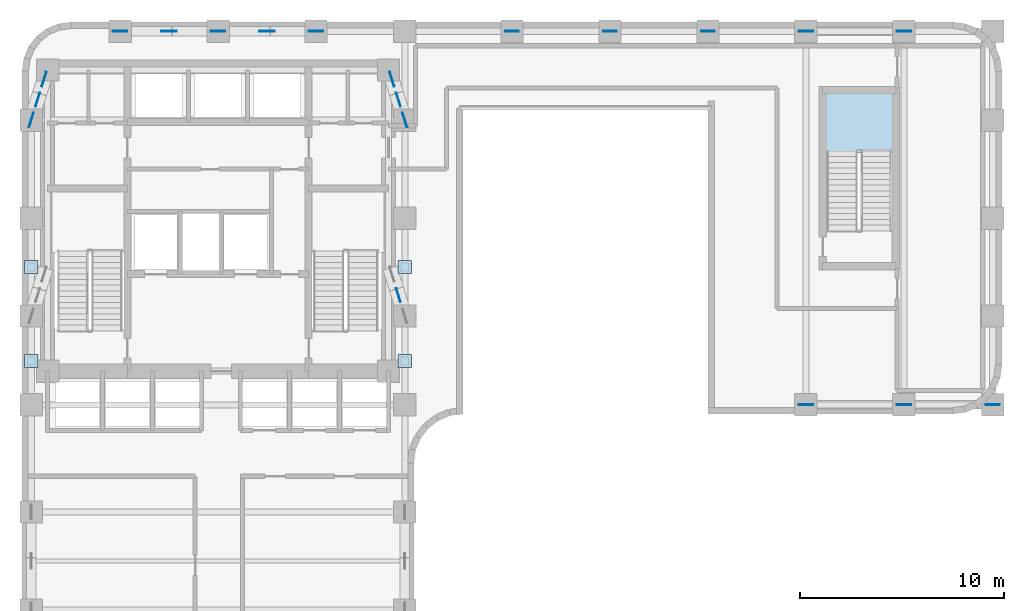
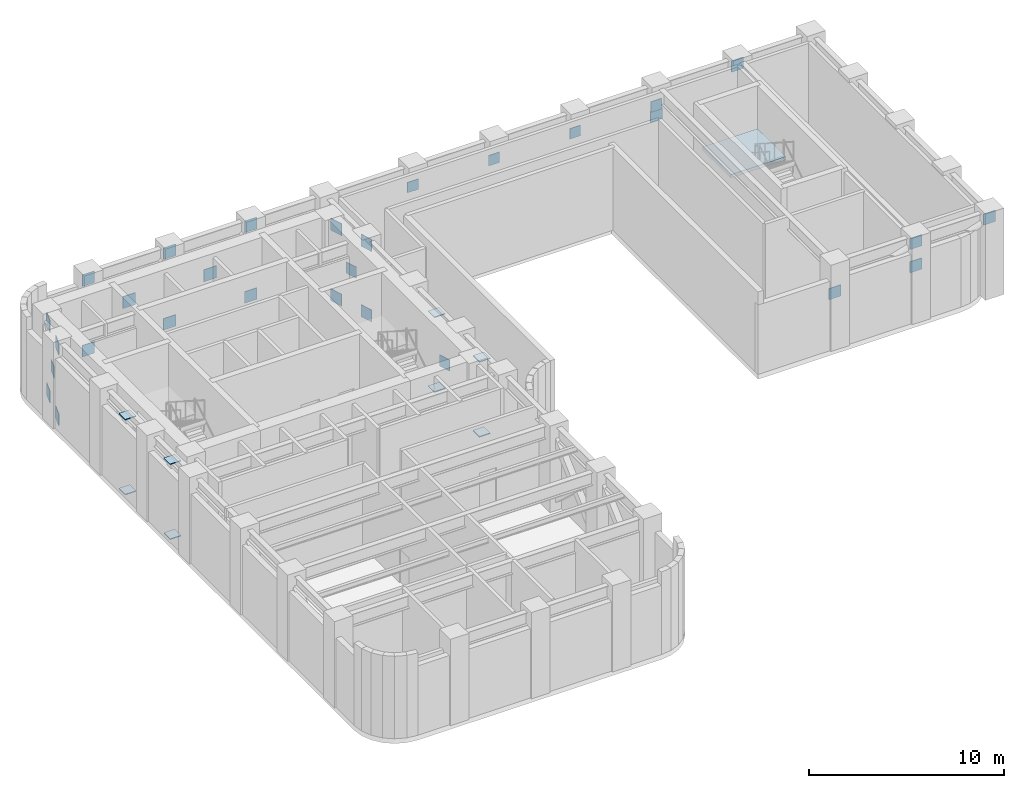
# One storey, part 4 of 9: 37 plates, 1 slab, 1 element without a shape of its own.
"""IFC4 building model written with IfcOpenShell, lengths in metres."""

from ifc_helpers import new_model, si_unit, direction, frame, origin, origin_2d, place, context, subcontext, project, spatial, polyline, rectangle, outline, extrude, material, layer, layer_set, type_object, element, aggregate, save


model = new_model("IFC4")

# Units and contexts
model_context = context("Model", 3, precision=1e-05, world=origin(), true_north=direction((0.0, 1.0)))
body_context = subcontext(model_context, "Body", "Model", "MODEL_VIEW")
ifc_project = project(units=[si_unit("LENGTHUNIT", "METRE"), si_unit("AREAUNIT", "SQUARE_METRE"), si_unit("VOLUMEUNIT", "CUBIC_METRE"), si_unit("PLANEANGLEUNIT", "RADIAN"), si_unit("MASSUNIT", "GRAM", prefix="KILO")], contexts=[model_context])

# Site, building, storey
site_placement = place(None, origin())
site = spatial("IfcSite", under=ifc_project, at=site_placement, CompositionType="ELEMENT")
building_placement = place(site_placement, origin())
building = spatial("IfcBuilding", under=site, at=building_placement, Name="Orvandelia Arch Residences", CompositionType="ELEMENT")
storey_placement = place(building_placement, frame((0.0, 0.0, 101.800048828125)))
storey = spatial("IfcBuildingStorey", under=building, at=storey_placement, Name="L26", CompositionType="ELEMENT", Elevation=101.800048828125)

# Plates
ifc_material_1 = material(Name="Structural Steel HSA650 (650 MPa)", Category="steel")
ifc_layer_1 = layer(ifc_material_1, 0.050048828125, Name="Structural Steel HSA650 (650 MPa)", Category="steel")
ifc_layer_set_1 = layer_set([ifc_layer_1], Name="Structural Steel HSA650 (650 MPa)")
plate_type_1 = type_object("IfcPlateType", Name="PLT-BASE-650", PredefinedType="USERDEFINED", material=ifc_layer_set_1)
for number, where, z_axis, x_axis, name in (
    (1, (5.25, 31.39990234375, 0.0), (0.0, 0.0, 1.0), (1.0, 0.0, 0.0), "Belt Post Base Plate L26-BPW-1"),
    (2, (5.25, 31.39990234375, 4.68505859375), (0.0, 0.0, 1.0), (1.0, 0.0, 0.0), "Belt Post Top Cap Plate L26-BPW-1"),
    (3, (5.25, 36.0, 0.0), (0.0, 0.0, 1.0), (1.0, 0.0, 0.0), "Belt Post Base Plate L26-BPW-2"),
    (4, (5.25, 36.0, 4.68505859375), (0.0, 0.0, 1.0), (1.0, 0.0, 0.0), "Belt Post Top Cap Plate L26-BPW-2"),
    (5, (23.550048828125, 31.39990234375, 0.0), (0.0, 0.0, 1.0), (1.0, 0.0, 0.0), "Belt Post Base Plate L26-BPE-1"),
    (6, (23.550048828125, 31.39990234375, 4.68505859375), (0.0, 0.0, 1.0), (1.0, 0.0, 0.0), "Belt Post Top Cap Plate L26-BPE-1"),
    (7, (23.550048828125, 36.0, 0.0), (0.0, 0.0, 1.0), (1.0, 0.0, 0.0), "Belt Post Base Plate L26-BPE-2"),
    (8, (23.550048828125, 36.0, 4.68505859375), (0.0, 0.0, 1.0), (1.0, 0.0, 0.0), "Belt Post Top Cap Plate L26-BPE-2"),
):
    element("IfcPlate", number, at=place(storey_placement, frame(where, z_axis=z_axis, x_axis=x_axis)), inside=storey, type_object=plate_type_1, Name=name, ObjectType="BASE_PLATE", PredefinedType="USERDEFINED", context=body_context, shape_type="SweptSolid", body=[
        extrude(rectangle(XDim=0.64990234375, YDim=0.64990234375, at=origin_2d()), origin(), (0.0, 0.0, 1.0), 0.050048828125),
    ])
ifc_layer_2 = layer(ifc_material_1, 0.0400390625, Name="Structural Steel HSA650 (650 MPa)", Category="steel")
ifc_layer_set_2 = layer_set([ifc_layer_2], Name="Structural Steel HSA650 (650 MPa)")
plate_type_2 = type_object("IfcPlateType", Name="PLT-GUSSET-650", PredefinedType="USERDEFINED", material=ifc_layer_set_2)
for number, where, z_axis, x_axis, name in (
    (9, (28.800048828125, 47.550048828125, 3.47509765625), (0.0, 0.0, 1.0), (1.0, 0.0, 0.0), "Collector Strut End Gusset Plate BS-1-W"),
    (10, (33.60009765625, 47.550048828125, 3.47509765625), (0.0, 0.0, 1.0), (1.0, 0.0, 0.0), "Collector Strut End Gusset Plate BS-1-E"),
    (11, (38.39990234375, 47.550048828125, 3.47509765625), (0.0, 0.0, 1.0), (1.0, 0.0, 0.0), "Collector Strut End Gusset Plate BS-2-E"),
    (12, (43.199951171875, 47.550048828125, 3.47509765625), (0.0, 0.0, 1.0), (1.0, 0.0, 0.0), "Collector Strut End Gusset Plate BS-3-E"),
):
    element("IfcPlate", number, at=place(storey_placement, frame(where, z_axis=z_axis, x_axis=x_axis)), inside=storey, type_object=plate_type_2, Name=name, ObjectType="GUSSET_PLATE", PredefinedType="USERDEFINED", context=body_context, shape_type="SweptSolid", body=[
        extrude(rectangle(XDim=0.64990234375, YDim=0.0400390625, at=origin_2d()), origin(), (0.0, 0.0, 1.0), 0.64990234375),
    ])
ifc_layer_3 = layer(ifc_material_1, 0.0400390625, Name="Structural Steel HSA650 (650 MPa)", Category="steel")
ifc_layer_set_3 = layer_set([ifc_layer_3], Name="Structural Steel HSA650 (650 MPa)")
plate_type_3 = type_object("IfcPlateType", Name="PLT-GUSSET-700", PredefinedType="USERDEFINED", material=ifc_layer_set_3)
for number, where, z_axis, x_axis, name in (
    (13, (43.199951171875, 29.25, 2.85009765625), (0.0, 0.0, 1.0), (1.0, 0.0, 0.0), "Sky-Garden Strut Lower Gusset Plate L26-1"),
    (14, (48.0, 29.25, 4.31005859375), (0.0, 0.0, 1.0), (1.0, 0.0, 0.0), "Sky-Garden Strut Upper Gusset Plate L26-1"),
    (15, (48.0, 29.25, 2.85009765625), (0.0, 0.0, 1.0), (1.0, 0.0, 0.0), "Sky-Garden Strut Lower Gusset Plate L26-2"),
    (16, (52.35009765625, 29.25, 4.31005859375), (0.0, 0.0, 1.0), (1.0, 0.0, 0.0), "Sky-Garden Strut Upper Gusset Plate L26-2"),
    (17, (43.199951171875, 47.550048828125, 2.85009765625), (0.0, 0.0, 1.0), (1.0, 0.0, 0.0), "Sky-Garden Strut Lower Gusset Plate L26-3"),
    (18, (48.0, 47.550048828125, 4.31005859375), (0.0, 0.0, 1.0), (1.0, 0.0, 0.0), "Sky-Garden Strut Upper Gusset Plate L26-3"),
):
    element("IfcPlate", number, at=place(storey_placement, frame(where, z_axis=z_axis, x_axis=x_axis)), inside=storey, type_object=plate_type_3, Name=name, ObjectType="GUSSET_PLATE", PredefinedType="USERDEFINED", context=body_context, shape_type="SweptSolid", body=[
        extrude(rectangle(XDim=0.699951171875, YDim=0.0400390625, at=origin_2d()), origin(), (0.0, 0.0, 1.0), 0.699951171875),
    ])
ifc_layer_4 = layer(ifc_material_1, 0.0400390625, Name="Structural Steel HSA650 (650 MPa)", Category="steel")
ifc_layer_set_4 = layer_set([ifc_layer_4], Name="Structural Steel HSA650 (650 MPa)")
plate_type_4 = type_object("IfcPlateType", Name="PLT-GUSSET-720", PredefinedType="USERDEFINED", material=ifc_layer_set_4)
for number, where, z_axis, x_axis, name in (
    (19, (9.60009765625, 47.550048828125, -0.06005859375), (0.0, 0.0, 1.0), (1.0, 0.0, 0.0), "Belt Truss End Gusset Plate L26-BN-1-ALO"),
    (20, (14.39990234375, 47.550048828125, -0.06005859375), (0.0, 0.0, 1.0), (1.0, 0.0, 0.0), "Belt Truss End Gusset Plate L26-BN-1-BLO"),
    (21, (9.60009765625, 47.550048828125, 4.35009765625), (0.0, 0.0, 1.0), (1.0, 0.0, 0.0), "Belt Truss End Gusset Plate L26-BN-1-AHI"),
    (22, (14.39990234375, 47.550048828125, 4.35009765625), (0.0, 0.0, 1.0), (1.0, 0.0, 0.0), "Belt Truss End Gusset Plate L26-BN-1-BHI"),
    (23, (19.199951171875, 47.550048828125, -0.06005859375), (0.0, 0.0, 1.0), (1.0, 0.0, 0.0), "Belt Truss End Gusset Plate L26-BN-2-BLO"),
    (24, (19.199951171875, 47.550048828125, 4.35009765625), (0.0, 0.0, 1.0), (1.0, 0.0, 0.0), "Belt Truss End Gusset Plate L26-BN-2-BHI"),
):
    element("IfcPlate", number, at=place(storey_placement, frame(where, z_axis=z_axis, x_axis=x_axis)), inside=storey, type_object=plate_type_4, Name=name, ObjectType="GUSSET_PLATE", PredefinedType="USERDEFINED", context=body_context, shape_type="SweptSolid", body=[
        extrude(rectangle(XDim=0.719970703125, YDim=0.0400390625, at=origin_2d()), origin(), (0.0, 0.0, 1.0), 0.719970703125),
    ])
ifc_layer_5 = layer(ifc_material_1, 0.0400390625, Name="Structural Steel HSA650 (650 MPa)", Category="steel")
ifc_layer_set_5 = layer_set([ifc_layer_5], Name="Structural Steel HSA650 (650 MPa)")
plate_type_5 = type_object("IfcPlateType", Name="PLT-GUSSET-750", PredefinedType="USERDEFINED", material=ifc_layer_set_5)
for number, where, z_axis, x_axis, name in (
    (25, (5.25, 43.199951171875, -0.074951171875), (0.0, 0.0, 1.0), (0.300439459768, 0.953800886461, 0.0), "Outrigger End Gusset Plate L26-OW-N-ALO"),
    (26, (5.8798828125, 45.199951171875, -0.074951171875), (0.0, 0.0, 1.0), (0.300439459768, 0.953800886461, 0.0), "Outrigger End Gusset Plate L26-OW-N-BLO"),
    (27, (5.25, 43.199951171875, 4.3349609375), (0.0, 0.0, 1.0), (0.300439459768, 0.953800886461, 0.0), "Outrigger End Gusset Plate L26-OW-N-AHI"),
    (28, (5.8798828125, 45.199951171875, 4.3349609375), (0.0, 0.0, 1.0), (0.300439459768, 0.953800886461, 0.0), "Outrigger End Gusset Plate L26-OW-N-BHI"),
    (29, (23.550048828125, 43.199951171875, -0.074951171875), (0.0, 0.0, 1.0), (-0.300439459768, 0.953800886461, 0.0), "Outrigger End Gusset Plate L26-OE-N-ALO"),
    (30, (22.919921875, 45.199951171875, -0.074951171875), (0.0, 0.0, 1.0), (-0.300439459768, 0.953800886461, 0.0), "Outrigger End Gusset Plate L26-OE-N-BLO"),
    (31, (23.550048828125, 43.199951171875, 4.3349609375), (0.0, 0.0, 1.0), (-0.300439459768, 0.953800886461, 0.0), "Outrigger End Gusset Plate L26-OE-N-AHI"),
    (32, (22.919921875, 45.199951171875, 4.3349609375), (0.0, 0.0, 1.0), (-0.300439459768, 0.953800886461, 0.0), "Outrigger End Gusset Plate L26-OE-N-BHI"),
):
    element("IfcPlate", number, at=place(storey_placement, frame(where, z_axis=z_axis, x_axis=x_axis)), inside=storey, type_object=plate_type_5, Name=name, ObjectType="GUSSET_PLATE", PredefinedType="USERDEFINED", context=body_context, shape_type="SweptSolid", body=[
        extrude(rectangle(XDim=0.75, YDim=0.0400390625, at=origin_2d()), origin(), (0.0, 0.0, 1.0), 0.75),
    ])
ifc_material_2 = material(Name="Structural Steel SM355 (355 MPa)", Category="steel")
ifc_layer_6 = layer(ifc_material_2, 0.035888671875, Name="Structural Steel SM355 (355 MPa)", Category="steel")
ifc_layer_set_6 = layer_set([ifc_layer_6], Name="Structural Steel SM355 (355 MPa)")
plate_type_6 = type_object("IfcPlateType", Name="PLT-NODE-700", PredefinedType="SHEET", material=ifc_layer_set_6)
for number, where, z_axis, x_axis, name in (
    (33, (5.56494140625, 44.199951171875, 2.15478515625), (0.0, 0.0, 1.0), (0.300439459768, 0.953800886461, 0.0), "Outrigger X-Node Gusset Plate L26-OW-N"),
    (34, (23.235107421875, 34.625, 2.15478515625), (0.0, 0.0, 1.0), (-0.293756722797, 0.955880216246, 0.0), "Outrigger X-Node Gusset Plate L26-OE-S"),
    (35, (23.235107421875, 44.199951171875, 2.15478515625), (0.0, 0.0, 1.0), (-0.300439459768, 0.953800886461, 0.0), "Outrigger X-Node Gusset Plate L26-OE-N"),
):
    element("IfcPlate", number, at=place(storey_placement, frame(where, z_axis=z_axis, x_axis=x_axis)), inside=storey, type_object=plate_type_6, Name=name, PredefinedType="SHEET", context=body_context, shape_type="SweptSolid", body=[
        extrude(rectangle(XDim=0.699951171875, YDim=0.035888671875, at=origin_2d()), origin(), (0.0, 0.0, 1.0), 0.699951171875),
    ])
ifc_layer_7 = layer(ifc_material_2, 0.035888671875, Name="Structural Steel SM355 (355 MPa)", Category="steel")
ifc_layer_set_7 = layer_set([ifc_layer_7], Name="Structural Steel SM355 (355 MPa)")
plate_type_7 = type_object("IfcPlateType", Name="PLT-NODE-750", PredefinedType="SHEET", material=ifc_layer_set_7)
for number, where, z_axis, x_axis, name in (
    (36, (12.0, 47.550048828125, 2.1298828125), (0.0, 0.0, 1.0), (1.0, 0.0, 0.0), "Belt Truss X-Node Gusset Plate L26-BN-1"),
    (37, (16.800048828125, 47.550048828125, 2.1298828125), (0.0, 0.0, 1.0), (1.0, 0.0, 0.0), "Belt Truss X-Node Gusset Plate L26-BN-2"),
):
    element("IfcPlate", number, at=place(storey_placement, frame(where, z_axis=z_axis, x_axis=x_axis)), inside=storey, type_object=plate_type_7, Name=name, PredefinedType="SHEET", context=body_context, shape_type="SweptSolid", body=[
        extrude(rectangle(XDim=0.75, YDim=0.035888671875, at=origin_2d()), origin(), (0.0, 0.0, 1.0), 0.75),
    ])

# Stair, slab
ifc_material_3 = material(Name="Concrete C40/50", Category="concrete")
stair_type = type_object("IfcStairType", Name="STAIR-RC-DOGLEG", PredefinedType="HALF_TURN_STAIR", material=ifc_material_3)
stair_placement = place(storey_placement, origin())
stair = element("IfcStair", 38, at=stair_placement, inside=storey, type_object=stair_type, Name="L26 East Wing Exit Stair ST-3", PredefinedType="HALF_TURN_STAIR")
ifc_layer_8 = layer(ifc_material_3, 0.219970703125, Name="Concrete C40/50", Category="concrete")
ifc_layer_set_8 = layer_set([ifc_layer_8], Name="Concrete C40/50")
slab_type = type_object("IfcSlabType", Name="SLB-LANDING-220", PredefinedType="LANDING", material=ifc_layer_set_8)
slab_placement = place(storey_placement, frame((0.0, 0.0, 2.5)))
slab = element("IfcSlab", 39, at=slab_placement, type_object=slab_type, Name="ST-3 landing 1", PredefinedType="LANDING", context=body_context, shape_type="SweptSolid", body=[
    extrude(outline(polyline([(47.43994140625, 41.610107421875), (47.43994140625, 44.5), (44.179931640625, 44.5), (44.179931640625, 41.610107421875), (47.43994140625, 41.610107421875)])), origin(), (0.0, 0.0, 1.0), 0.199951171875),
])
aggregate(stair, [slab])

save(model, "model.ifc")
